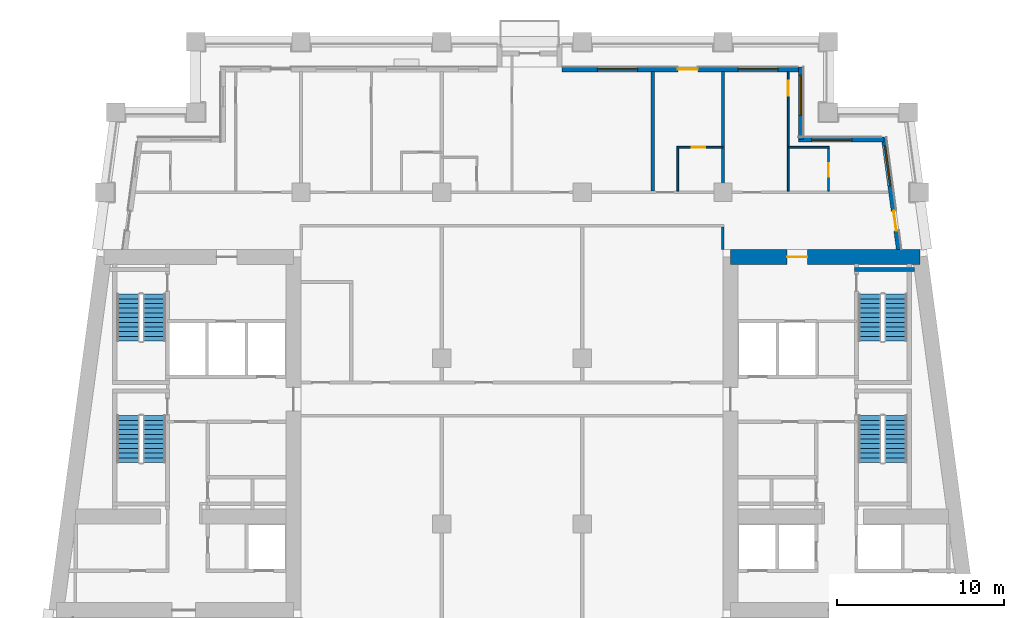
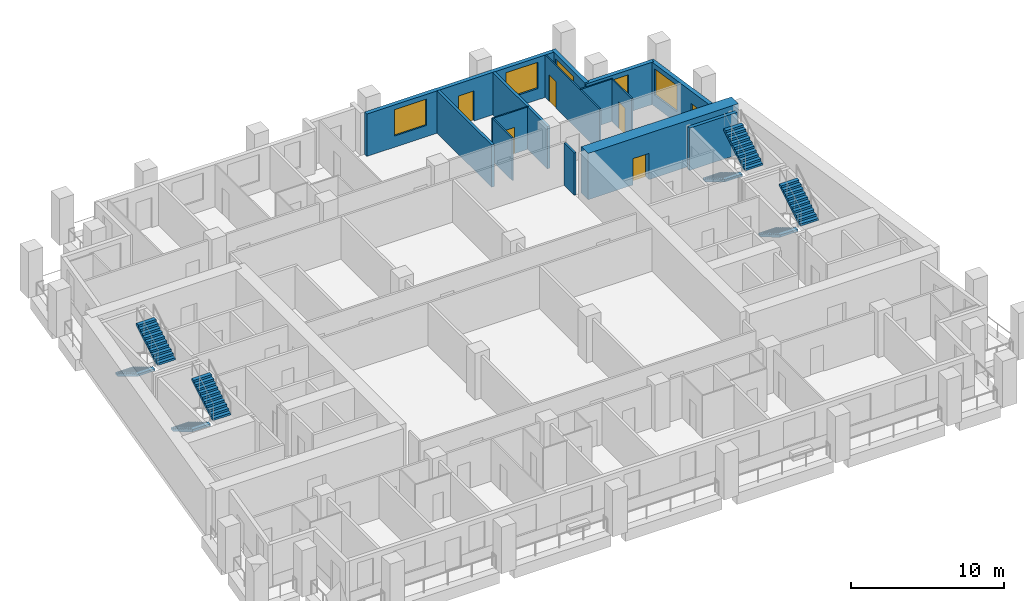
# One storey, part 7 of 12: 14 walls, 8 stair flights, 6 doors, 5 windows, 11 openings, 4 elements without a shape of their own.
"""IFC4 building model written with IfcOpenShell, lengths in metres."""

import ifcopenshell
import ifcopenshell.guid

model = None  # the IFC model being written
_history = None  # IfcOwnerHistory: only IFC2X3 demands one
_inside = {}  # id of a spatial element -> (the spatial element, [elements in it])
_under = {}  # id of a project, library or spatial element -> (it, [spatial elements below it])
_declared = {}  # id of a project -> (the project, [libraries it declares])
_typed = {}  # id of a type object -> (the type object, [elements of that type])
_made_of = {}  # id of a material, layer set ... -> (it, [elements and type objects made of it])


def new_model(schema):
    """Start an empty IFC model of exactly this schema.

    Asked for "IFC4X3", IfcOpenShell would pick the latest addendum, in which some entities
    have other attributes; the version numbers below select the first issue.
    IFC2X3 requires an IfcOwnerHistory on every rooted entity: one is made here for all.
    """
    global model, _history
    if schema == "IFC4X3":
        model = ifcopenshell.file(schema_version=(4, 3, 0, 0))
    else:
        model = ifcopenshell.file(schema=schema)
    _inside.clear()
    _under.clear()
    _declared.clear()
    _typed.clear()
    _made_of.clear()
    _history = None
    if model.schema == "IFC2X3":
        org = make("IfcOrganization", Name="unknown")
        user = make(
            "IfcPersonAndOrganization",
            ThePerson=make("IfcPerson", FamilyName="unknown"),
            TheOrganization=org,
        )
        app = make(
            "IfcApplication",
            ApplicationDeveloper=org,
            Version="unknown",
            ApplicationFullName="unknown",
            ApplicationIdentifier="unknown",
        )
        _history = make(
            "IfcOwnerHistory",
            OwningUser=user,
            OwningApplication=app,
            ChangeAction="ADDED",
            CreationDate=0,
        )
    return model


def make(cls, **values):
    """One entity of the class cls with the attributes given. An attribute that is None is left unset."""
    return model.create_entity(
        cls, **{name: value for name, value in values.items() if value is not None}
    )


def rooted(cls, **values):
    """An entity with a GlobalId (a new one), such as an element, a storey or a relation."""
    return make(cls, GlobalId=ifcopenshell.guid.new(), OwnerHistory=_history, **values)


def si_unit(unit_type, name, prefix=None):
    """IfcSIUnit, for example si_unit("LENGTHUNIT", "METRE", prefix="MILLI")."""
    return make("IfcSIUnit", UnitType=unit_type, Prefix=prefix, Name=name)


def assignment(units):
    """IfcUnitAssignment: the units of a project."""
    return None if units is None else make("IfcUnitAssignment", Units=units)


def point(xyz):
    """IfcCartesianPoint."""
    return None if xyz is None else make("IfcCartesianPoint", Coordinates=xyz)


def direction(xyz):
    """IfcDirection."""
    return None if xyz is None else make("IfcDirection", DirectionRatios=xyz)


def frame(location, z_axis=None, x_axis=None):
    """IfcAxis2Placement3D, a coordinate frame: its origin and axes. An axis left out is left unset."""
    return make(
        "IfcAxis2Placement3D",
        Location=point(location),
        Axis=direction(z_axis),
        RefDirection=direction(x_axis),
    )


def frame_2d(location, x_axis=None):
    """IfcAxis2Placement2D, a coordinate frame in the plane: its origin and x axis."""
    return make(
        "IfcAxis2Placement2D", Location=point(location), RefDirection=direction(x_axis)
    )


def origin():
    """The frame at (0, 0, 0) with its axes left unset."""
    return frame((0.0, 0.0, 0.0))


def place(relative_to, where):
    """IfcLocalPlacement: puts the frame where relative to a parent placement (None: the world)."""
    return make(
        "IfcLocalPlacement", PlacementRelTo=relative_to, RelativePlacement=where
    )


def context(
    kind, dimensions, precision=None, world=None, true_north=None, identifier=None
):
    """IfcGeometricRepresentationContext, for example the 3D "Model" context."""
    return make(
        "IfcGeometricRepresentationContext",
        ContextIdentifier=identifier,
        ContextType=kind,
        CoordinateSpaceDimension=dimensions,
        Precision=precision,
        WorldCoordinateSystem=world,
        TrueNorth=true_north,
    )


def subcontext(parent, identifier, kind, view, scale=None):
    """IfcGeometricRepresentationSubContext, for example "Body" below "Model"."""
    return make(
        "IfcGeometricRepresentationSubContext",
        ContextIdentifier=identifier,
        ContextType=kind,
        ParentContext=parent,
        TargetScale=scale,
        TargetView=view,
    )


def project(units=None, contexts=None):
    """IfcProject with its units and contexts."""
    return rooted(
        "IfcProject",
        Name="project",
        RepresentationContexts=contexts,
        UnitsInContext=assignment(units),
    )


def spatial(cls, under=None, at=None, **own):
    """A site, building, storey or space (cls), placed at a placement, below another one or the project."""
    s = rooted(cls, ObjectPlacement=at, **own)
    if under is not None:
        _under.setdefault(under.id(), (under, []))[1].append(s)
    return s


def polyline(points):
    """IfcPolyline through the points."""
    return make("IfcPolyline", Points=[point(p) for p in points])


def profile(cls, at=None, kind="AREA", **sizes):
    """A parametric profile (cls). Its sizes go by their IFC names, for example OverallWidth=200.0."""
    return make(cls, ProfileType=kind, Position=at, **sizes)


def rectangle(**sizes):
    """IfcRectangleProfileDef."""
    return profile("IfcRectangleProfileDef", **sizes)


def outline(outer, holes=None, kind="AREA"):
    """IfcArbitraryClosedProfileDef: a profile drawn as a closed curve; with holes, ...WithVoids."""
    if holes is None:
        return make("IfcArbitraryClosedProfileDef", ProfileType=kind, OuterCurve=outer)
    return make(
        "IfcArbitraryProfileDefWithVoids",
        ProfileType=kind,
        OuterCurve=outer,
        InnerCurves=holes,
    )


def extrude(swept, where, along, depth):
    """IfcExtrudedAreaSolid: the profile swept, set in the frame where, extruded along a direction by depth."""
    return make(
        "IfcExtrudedAreaSolid",
        SweptArea=swept,
        Position=where,
        ExtrudedDirection=direction(along),
        Depth=depth,
    )


def shape(context_of_items, identifier, shape_type, items):
    """IfcShapeRepresentation: the items that make up one representation, for example the "Body"."""
    return make(
        "IfcShapeRepresentation",
        ContextOfItems=context_of_items,
        RepresentationIdentifier=identifier,
        RepresentationType=shape_type,
        Items=items,
    )


def material(Name=None, Category=None):
    """IfcMaterial."""
    return make("IfcMaterial", Name=Name, Category=Category)


def layer(
    of_material, thickness, ventilated=None, Name=None, Category=None, Priority=None
):
    """IfcMaterialLayer: one layer of a wall or slab, of a material (None: an air gap)."""
    return make(
        "IfcMaterialLayer",
        Material=of_material,
        LayerThickness=thickness,
        IsVentilated=ventilated,
        Name=Name,
        Category=Category,
        Priority=Priority,
    )


def layer_set(layers, Name=None):
    """IfcMaterialLayerSet."""
    return make("IfcMaterialLayerSet", MaterialLayers=layers, LayerSetName=Name)


def made_of(thing, what):
    """Note that an element or type object is made of a material, layer set ...; save() writes the relation."""
    if what is not None:
        _made_of.setdefault(what.id(), (what, []))[1].append(thing)
    return thing


def type_object(cls, material=None, **own):
    """A type object (cls), such as IfcWallType, which elements share."""
    return made_of(rooted(cls, **own), material)


def element(
    cls,
    number,
    at=None,
    inside=None,
    cuts=None,
    type_object=None,
    material=None,
    context=None,
    identifier="Body",
    shape_type=None,
    held_by="IfcProductDefinitionShape",
    body=None,
    shapes=None,
    **own,
):
    """One element of the class cls, such as IfcWall. Its Tag is "e" and its number.

    at: its placement. inside: the storey or other place that contains it. cuts: it is an
    opening in that element (IfcRelVoidsElement). A single representation is given by context,
    identifier, shape_type and body (its items); several are given by shapes. held_by: the class
    of the entity that holds the representations. save() writes the other relations.
    """
    e = rooted(cls, Tag="e%d" % number, ObjectPlacement=at, **own)
    if body is not None:
        shapes = [shape(context, identifier, shape_type, body)]
    if shapes is not None:
        e.Representation = make(held_by, Representations=shapes)
    if inside is not None:
        _inside.setdefault(inside.id(), (inside, []))[1].append(e)
    if cuts is not None:
        rooted(
            "IfcRelVoidsElement", RelatingBuildingElement=cuts, RelatedOpeningElement=e
        )
    if type_object is not None:
        _typed.setdefault(type_object.id(), (type_object, []))[1].append(e)
    return made_of(e, material)


def fill(opening, filler):
    """IfcRelFillsElement: the door or window that sits in an opening."""
    return rooted(
        "IfcRelFillsElement",
        RelatingOpeningElement=opening,
        RelatedBuildingElement=filler,
    )


def aggregate(whole, parts):
    """IfcRelAggregates: a whole, such as a stair, and the parts it consists of."""
    return rooted("IfcRelAggregates", RelatingObject=whole, RelatedObjects=parts)


def save(model, path):
    """Write the relations noted so far, then the file.

    IfcRelAggregates (storeys below a building ...), IfcRelContainedInSpatialStructure (elements
    in a storey), IfcRelDefinesByType, IfcRelAssociatesMaterial and IfcRelDeclares: one each for
    every whole, place, type object, material and project.
    """
    for whole, parts in _under.values():
        aggregate(whole, parts)
    for where, things in _inside.values():
        rooted(
            "IfcRelContainedInSpatialStructure",
            RelatedElements=things,
            RelatingStructure=where,
        )
    for kind, things in _typed.values():
        rooted("IfcRelDefinesByType", RelatedObjects=things, RelatingType=kind)
    for what, things in _made_of.values():
        rooted("IfcRelAssociatesMaterial", RelatedObjects=things, RelatingMaterial=what)
    for by, libraries in _declared.values():
        rooted("IfcRelDeclares", RelatingContext=by, RelatedDefinitions=libraries)
    model.write(path)


model = new_model("IFC4")

# Units and contexts
model_context = context("Model", 3, precision=1e-05, world=origin(), true_north=direction((0.0, 1.0)))
body_context = subcontext(model_context, "Body", "Model", "MODEL_VIEW")
ifc_project = project(units=[si_unit("LENGTHUNIT", "METRE"), si_unit("AREAUNIT", "SQUARE_METRE"), si_unit("VOLUMEUNIT", "CUBIC_METRE"), si_unit("PLANEANGLEUNIT", "RADIAN"), si_unit("MASSUNIT", "GRAM", prefix="KILO")], contexts=[model_context])

# Site, building, storey
site_placement = place(None, origin())
site = spatial("IfcSite", under=ifc_project, at=site_placement, CompositionType="ELEMENT")
building_placement = place(site_placement, origin())
building = spatial("IfcBuilding", under=site, at=building_placement, Name="Candeia Pilgrim Tower and Theatre", CompositionType="ELEMENT")
storey_placement = place(building_placement, frame((0.0, 0.0, 166.300048828125)))
storey = spatial("IfcBuildingStorey", under=building, at=storey_placement, Name="L39", CompositionType="ELEMENT", Elevation=166.300048828125)

# Wall, opening, door
ifc_material_1 = material(Name="Concrete C60/75", Category="concrete")
ifc_layer_1 = layer(ifc_material_1, 0.89990234375)
ifc_layer_set_1 = layer_set([ifc_layer_1], Name="Core wall 900 C60/75")
wall_type_1 = type_object("IfcWallType", Name="Core wall 900 C60/75", PredefinedType="SHEAR", material=ifc_layer_set_1)
wall_1_placement = place(storey_placement, frame((126.449951171875, 131.949951171875, 0.0), z_axis=(0.0, 0.0, 1.0), x_axis=(1.0, 0.0, 0.0)))
wall_1 = element("IfcWall", 1, at=wall_1_placement, inside=storey, type_object=wall_type_1, Name="Core wall E1", PredefinedType="SHEAR", context=body_context, shape_type="SweptSolid", body=[
    extrude(rectangle(XDim=11.32568359375, YDim=0.89990234375, at=frame_2d((5.662841796875, 0.0))), origin(), (0.0, 0.0, 1.0), 3.699951171875),
])
opening_1_placement = place(wall_1_placement, frame((3.386474609375, 0.0, 0.0)))
opening_1 = element("IfcOpeningElement", 2, at=opening_1_placement, cuts=wall_1, Name="Opening L39-D056", PredefinedType="OPENING", context=body_context, shape_type="SweptSolid", body=[
    extrude(rectangle(XDim=1.199951171875, YDim=2.10009765625, at=frame_2d((0.60009765625, 1.050048828125))), frame((0.0, 0.4599609375, 0.0), z_axis=(0.0, -1.0, 0.0), x_axis=(1.0, 0.0, 0.0)), (0.0, 0.0, 1.0), 0.919921875),
])
ifc_material_2 = material(Name="Steel fire door set", Category="steel")
door_type_1 = type_object("IfcDoorType", Name="D-1200-FD60", OperationType="NOTDEFINED", PredefinedType="DOOR", material=ifc_material_2)
door_1_placement = place(opening_1_placement, origin())
door_1 = element("IfcDoor", 3, at=door_1_placement, inside=storey, type_object=door_type_1, Name="Door L39-D056", OperationType="SINGLE_SWING_LEFT", OverallHeight=2.10009765625, OverallWidth=1.199951171875, PredefinedType="DOOR", context=body_context, shape_type="SweptSolid", body=[
    extrude(rectangle(XDim=1.199951171875, YDim=2.10009765625, at=frame_2d((0.60009765625, 1.050048828125))), frame((0.0, 0.02490234375, 0.0), z_axis=(0.0, -1.0, 0.0), x_axis=(1.0, 0.0, 0.0)), (0.0, 0.0, 1.0), 0.050048828125),
])
fill(opening_1, door_1)

# Wall, openings, door, window
ifc_material_3 = material(Name="Ceramic block masonry", Category="masonry")
ifc_layer_2 = layer(ifc_material_3, 0.300048828125)
ifc_layer_set_2 = layer_set([ifc_layer_2], Name="EW1 glazing-line wall 300")
wall_type_2 = type_object("IfcWallType", Name="EW1 glazing-line wall 300", PredefinedType="SOLIDWALL", material=ifc_layer_set_2)
wall_2_placement = place(storey_placement, frame((136.50439453125, 132.39990234375, 0.0), z_axis=(0.0, 0.0, 1.0), x_axis=(-0.133399697462, 0.99106231929, 0.0)))
wall_2 = element("IfcWall", 4, at=wall_2_placement, inside=storey, type_object=wall_type_2, Name="External wall L39-3.1", PredefinedType="SOLIDWALL", context=body_context, shape_type="SweptSolid", body=[
    extrude(rectangle(XDim=6.740478515625, YDim=0.300048828125, at=frame_2d((3.3701171875, 0.0))), origin(), (0.0, 0.0, 1.0), 3.3798828125),
])
opening_2_placement = place(wall_2_placement, frame((1.115234375, 0.0, 0.0)))
opening_2 = element("IfcOpeningElement", 5, at=opening_2_placement, cuts=wall_2, Name="Opening L39-ED375", PredefinedType="OPENING", context=body_context, shape_type="SweptSolid", body=[
    extrude(rectangle(XDim=1.199951171875, YDim=2.39990234375, at=frame_2d((0.60009765625, 1.199951171875))), frame((0.0, 0.16015625, 0.0), z_axis=(0.0, -1.0, 0.0), x_axis=(1.0, 0.0, 0.0)), (0.0, 0.0, 1.0), 0.320068359375),
])
opening_3_placement = place(wall_2_placement, frame((3.83544921875, 0.0, 0.89990234375)))
opening_3 = element("IfcOpeningElement", 6, at=opening_3_placement, cuts=wall_2, Name="Opening W-A", PredefinedType="OPENING", context=body_context, shape_type="SweptSolid", body=[
    extrude(rectangle(XDim=2.39990234375, YDim=2.10009765625, at=frame_2d((1.199951171875, 1.050048828125))), frame((0.0, 0.16015625, 0.0), z_axis=(0.0, -1.0, 0.0), x_axis=(1.0, 0.0, 0.0)), (0.0, 0.0, 1.0), 0.320068359375),
])
ifc_material_4 = material(Name="Aluminium framed glazed door", Category="aluminium")
door_type_2 = type_object("IfcDoorType", Name="Loggia door 1200x2400", OperationType="DOUBLE_DOOR_SINGLE_SWING", PredefinedType="DOOR", material=ifc_material_4)
door_2_placement = place(opening_2_placement, origin())
door_2 = element("IfcDoor", 7, at=door_2_placement, inside=storey, type_object=door_type_2, Name="Loggia door L39-ED375", OperationType="DOUBLE_DOOR_SINGLE_SWING", OverallHeight=2.39990234375, OverallWidth=1.199951171875, PredefinedType="DOOR", context=body_context, shape_type="SweptSolid", body=[
    extrude(rectangle(XDim=1.199951171875, YDim=2.39990234375, at=frame_2d((0.60009765625, 1.199951171875))), frame((0.0, 0.02490234375, 0.0), z_axis=(0.0, -1.0, 0.0), x_axis=(1.0, 0.0, 0.0)), (0.0, 0.0, 1.0), 0.050048828125),
])
fill(opening_2, door_2)
ifc_material_5 = material(Name="Aluminium framed double glazing", Category="aluminium")
window_type = type_object("IfcWindowType", Name="W-A window 2400x2100", PartitioningType="DOUBLE_PANEL_VERTICAL", PredefinedType="WINDOW", material=ifc_material_5)
window_1_placement = place(opening_3_placement, origin())
window_1 = element("IfcWindow", 8, at=window_1_placement, inside=storey, type_object=window_type, Name="Window W-A L39", OverallHeight=2.10009765625, OverallWidth=2.39990234375, PartitioningType="SINGLE_PANEL", PredefinedType="WINDOW", context=body_context, shape_type="SweptSolid", body=[
    extrude(rectangle(XDim=2.39990234375, YDim=2.10009765625, at=frame_2d((1.199951171875, 1.050048828125))), frame((0.0, 0.030029296875, 0.0), z_axis=(0.0, -1.0, 0.0), x_axis=(1.0, 0.0, 0.0)), (0.0, 0.0, 1.0), 0.06005859375),
])
fill(opening_3, window_1)

# Wall, opening, window
wall_3_placement = place(storey_placement, frame((135.62255859375, 138.949951171875, 0.0), z_axis=(0.0, 0.0, 1.0), x_axis=(-1.0, 0.0, 0.0)))
wall_3 = element("IfcWall", 9, at=wall_3_placement, inside=storey, type_object=wall_type_2, Name="External wall L39-4.0", PredefinedType="SOLIDWALL", context=body_context, shape_type="SweptSolid", body=[
    extrude(rectangle(XDim=5.12255859375, YDim=0.300048828125, at=frame_2d((2.561279296875, 0.0))), origin(), (0.0, 0.0, 1.0), 3.3798828125),
])
opening_4_placement = place(wall_3_placement, frame((1.922607421875, 0.0, 0.89990234375)))
opening_4 = element("IfcOpeningElement", 10, at=opening_4_placement, cuts=wall_3, Name="Opening W-A", PredefinedType="OPENING", context=body_context, shape_type="SweptSolid", body=[
    extrude(rectangle(XDim=2.39990234375, YDim=2.10009765625, at=frame_2d((1.199951171875, 1.050048828125))), frame((0.0, 0.16015625, 0.0), z_axis=(0.0, -1.0, 0.0), x_axis=(1.0, 0.0, 0.0)), (0.0, 0.0, 1.0), 0.320068359375),
])
window_2_placement = place(opening_4_placement, origin())
window_2 = element("IfcWindow", 11, at=window_2_placement, inside=storey, type_object=window_type, Name="Window W-A L39", OverallHeight=2.10009765625, OverallWidth=2.39990234375, PartitioningType="SINGLE_PANEL", PredefinedType="WINDOW", context=body_context, shape_type="SweptSolid", body=[
    extrude(rectangle(XDim=2.39990234375, YDim=2.10009765625, at=frame_2d((1.199951171875, 1.050048828125))), frame((0.0, 0.030029296875, 0.0), z_axis=(0.0, -1.0, 0.0), x_axis=(1.0, 0.0, 0.0)), (0.0, 0.0, 1.0), 0.06005859375),
])
fill(opening_4, window_2)

wall_4_placement = place(storey_placement, frame((130.64990234375, 138.949951171875, 0.0), z_axis=(0.0, 0.0, 1.0), x_axis=(0.0, 1.0, 0.0)))
wall_4 = element("IfcWall", 12, at=wall_4_placement, inside=storey, type_object=wall_type_2, Name="External wall L39-5.0", PredefinedType="SOLIDWALL", context=body_context, shape_type="SweptSolid", body=[
    extrude(rectangle(XDim=4.35009765625, YDim=0.300048828125, at=frame_2d((2.175048828125, 0.0))), origin(), (0.0, 0.0, 1.0), 3.3798828125),
])
opening_5_placement = place(wall_4_placement, frame((1.449951171875, 0.0, 0.89990234375)))
opening_5 = element("IfcOpeningElement", 13, at=opening_5_placement, cuts=wall_4, Name="Opening W-A", PredefinedType="OPENING", context=body_context, shape_type="SweptSolid", body=[
    extrude(rectangle(XDim=2.39990234375, YDim=2.10009765625, at=frame_2d((1.199951171875, 1.050048828125))), frame((0.0, 0.16015625, 0.0), z_axis=(0.0, -1.0, 0.0), x_axis=(1.0, 0.0, 0.0)), (0.0, 0.0, 1.0), 0.320068359375),
])
window_3_placement = place(opening_5_placement, origin())
window_3 = element("IfcWindow", 14, at=window_3_placement, inside=storey, type_object=window_type, Name="Window W-A L39", OverallHeight=2.10009765625, OverallWidth=2.39990234375, PartitioningType="SINGLE_PANEL", PredefinedType="WINDOW", context=body_context, shape_type="SweptSolid", body=[
    extrude(rectangle(XDim=2.39990234375, YDim=2.10009765625, at=frame_2d((1.199951171875, 1.050048828125))), frame((0.0, 0.030029296875, 0.0), z_axis=(0.0, -1.0, 0.0), x_axis=(1.0, 0.0, 0.0)), (0.0, 0.0, 1.0), 0.06005859375),
])
fill(opening_5, window_3)

# Wall, openings, door, windows
wall_5_placement = place(storey_placement, frame((130.64990234375, 143.14990234375, 0.0), z_axis=(0.0, 0.0, 1.0), x_axis=(-1.0, 0.0, 0.0)))
wall_5 = element("IfcWall", 15, at=wall_5_placement, inside=storey, type_object=wall_type_2, Name="External wall L39-6.0", PredefinedType="SOLIDWALL", context=body_context, shape_type="SweptSolid", body=[
    extrude(rectangle(XDim=14.25, YDim=0.300048828125, at=frame_2d((7.125, 0.0))), origin(), (0.0, 0.0, 1.0), 3.3798828125),
])
opening_6_placement = place(wall_5_placement, frame((1.35009765625, 0.0, 0.89990234375)))
opening_6 = element("IfcOpeningElement", 16, at=opening_6_placement, cuts=wall_5, Name="Opening W-A", PredefinedType="OPENING", context=body_context, shape_type="SweptSolid", body=[
    extrude(rectangle(XDim=2.39990234375, YDim=2.10009765625, at=frame_2d((1.199951171875, 1.050048828125))), frame((0.0, 0.16015625, 0.0), z_axis=(0.0, -1.0, 0.0), x_axis=(1.0, 0.0, 0.0)), (0.0, 0.0, 1.0), 0.320068359375),
])
opening_7_placement = place(wall_5_placement, frame((6.14990234375, 0.0, 0.0)))
opening_7 = element("IfcOpeningElement", 17, at=opening_7_placement, cuts=wall_5, Name="Opening L39-ED376", PredefinedType="OPENING", context=body_context, shape_type="SweptSolid", body=[
    extrude(rectangle(XDim=1.199951171875, YDim=2.39990234375, at=frame_2d((0.60009765625, 1.199951171875))), frame((0.0, 0.16015625, 0.0), z_axis=(0.0, -1.0, 0.0), x_axis=(1.0, 0.0, 0.0)), (0.0, 0.0, 1.0), 0.320068359375),
])
opening_8_placement = place(wall_5_placement, frame((9.75, 0.0, 0.89990234375)))
opening_8 = element("IfcOpeningElement", 18, at=opening_8_placement, cuts=wall_5, Name="Opening W-A", PredefinedType="OPENING", context=body_context, shape_type="SweptSolid", body=[
    extrude(rectangle(XDim=2.39990234375, YDim=2.10009765625, at=frame_2d((1.199951171875, 1.050048828125))), frame((0.0, 0.16015625, 0.0), z_axis=(0.0, -1.0, 0.0), x_axis=(1.0, 0.0, 0.0)), (0.0, 0.0, 1.0), 0.320068359375),
])
door_3_placement = place(opening_7_placement, origin())
door_3 = element("IfcDoor", 19, at=door_3_placement, inside=storey, type_object=door_type_2, Name="Loggia door L39-ED376", OperationType="DOUBLE_DOOR_SINGLE_SWING", OverallHeight=2.39990234375, OverallWidth=1.199951171875, PredefinedType="DOOR", context=body_context, shape_type="SweptSolid", body=[
    extrude(rectangle(XDim=1.199951171875, YDim=2.39990234375, at=frame_2d((0.60009765625, 1.199951171875))), frame((0.0, 0.02490234375, 0.0), z_axis=(0.0, -1.0, 0.0), x_axis=(1.0, 0.0, 0.0)), (0.0, 0.0, 1.0), 0.050048828125),
])
fill(opening_7, door_3)
window_4_placement = place(opening_6_placement, origin())
window_4 = element("IfcWindow", 20, at=window_4_placement, inside=storey, type_object=window_type, Name="Window W-A L39", OverallHeight=2.10009765625, OverallWidth=2.39990234375, PartitioningType="SINGLE_PANEL", PredefinedType="WINDOW", context=body_context, shape_type="SweptSolid", body=[
    extrude(rectangle(XDim=2.39990234375, YDim=2.10009765625, at=frame_2d((1.199951171875, 1.050048828125))), frame((0.0, 0.030029296875, 0.0), z_axis=(0.0, -1.0, 0.0), x_axis=(1.0, 0.0, 0.0)), (0.0, 0.0, 1.0), 0.06005859375),
])
fill(opening_6, window_4)
window_5_placement = place(opening_8_placement, origin())
window_5 = element("IfcWindow", 21, at=window_5_placement, inside=storey, type_object=window_type, Name="Window W-A L39", OverallHeight=2.10009765625, OverallWidth=2.39990234375, PartitioningType="SINGLE_PANEL", PredefinedType="WINDOW", context=body_context, shape_type="SweptSolid", body=[
    extrude(rectangle(XDim=2.39990234375, YDim=2.10009765625, at=frame_2d((1.199951171875, 1.050048828125))), frame((0.0, 0.030029296875, 0.0), z_axis=(0.0, -1.0, 0.0), x_axis=(1.0, 0.0, 0.0)), (0.0, 0.0, 1.0), 0.06005859375),
])
fill(opening_8, window_5)

# Wall, opening, door
ifc_material_6 = material(Name="Gypsum board partition on steel studs", Category="steel")
ifc_layer_3 = layer(ifc_material_6, 0.10009765625)
ifc_layer_set_3 = layer_set([ifc_layer_3], Name="PW-100 room partition")
wall_type_3 = type_object("IfcWallType", Name="PW-100 room partition", PredefinedType="PARTITIONING", material=ifc_layer_set_3)
wall_6_placement = place(storey_placement, frame((123.25, 138.5, 0.0), z_axis=(0.0, 0.0, 1.0), x_axis=(1.0, 0.0, 0.0)))
wall_6 = element("IfcWall", 22, at=wall_6_placement, inside=storey, type_object=wall_type_3, Name="Room partition L39-046", PredefinedType="PARTITIONING", context=body_context, shape_type="SweptSolid", body=[
    extrude(rectangle(XDim=2.75, YDim=0.10009765625, at=frame_2d((1.375, 0.0))), origin(), (0.0, 0.0, 1.0), 3.3798828125),
])
opening_9_placement = place(wall_6_placement, frame((0.8798828125, 0.0, 0.0)))
opening_9 = element("IfcOpeningElement", 23, at=opening_9_placement, cuts=wall_6, Name="Opening L39-D041", PredefinedType="OPENING", context=body_context, shape_type="SweptSolid", body=[
    extrude(rectangle(XDim=0.800048828125, YDim=2.10009765625, at=frame_2d((0.39990234375, 1.050048828125))), frame((0.0, 0.06005859375, 0.0), z_axis=(0.0, -1.0, 0.0), x_axis=(1.0, 0.0, 0.0)), (0.0, 0.0, 1.0), 0.1201171875),
])
ifc_material_7 = material(Name="Timber door leaf", Category="wood")
door_type_3 = type_object("IfcDoorType", Name="D-800", OperationType="NOTDEFINED", PredefinedType="DOOR", material=ifc_material_7)
door_4_placement = place(opening_9_placement, origin())
door_4 = element("IfcDoor", 24, at=door_4_placement, inside=storey, type_object=door_type_3, Name="Door L39-D041", OperationType="SINGLE_SWING_RIGHT", OverallHeight=2.10009765625, OverallWidth=0.800048828125, PredefinedType="DOOR", context=body_context, shape_type="SweptSolid", body=[
    extrude(rectangle(XDim=0.800048828125, YDim=2.10009765625, at=frame_2d((0.39990234375, 1.050048828125))), frame((0.0, 0.02490234375, 0.0), z_axis=(0.0, -1.0, 0.0), x_axis=(1.0, 0.0, 0.0)), (0.0, 0.0, 1.0), 0.050048828125),
])
fill(opening_9, door_4)

# Walls
wall_7_placement = place(storey_placement, frame((129.89990234375, 138.5, 0.0), z_axis=(0.0, 0.0, 1.0), x_axis=(1.0, 0.0, 0.0)))
element("IfcWall", 25, at=wall_7_placement, inside=storey, type_object=wall_type_3, Name="Room partition L39-047", PredefinedType="PARTITIONING", context=body_context, shape_type="SweptSolid", body=[
    extrude(rectangle(XDim=2.4501953125, YDim=0.10009765625, at=frame_2d((1.22509765625, 0.0))), origin(), (0.0, 0.0, 1.0), 3.3798828125),
])
wall_8_placement = place(storey_placement, frame((123.300048828125, 135.875, 0.0), z_axis=(0.0, 0.0, 1.0), x_axis=(0.0, 1.0, 0.0)))
element("IfcWall", 26, at=wall_8_placement, inside=storey, type_object=wall_type_3, Name="Room partition L39-092", PredefinedType="PARTITIONING", context=body_context, shape_type="SweptSolid", body=[
    extrude(rectangle(XDim=2.574951171875, YDim=0.10009765625, at=frame_2d((1.28759765625, 0.0))), origin(), (0.0, 0.0, 1.0), 3.3798828125),
])

# Wall, opening, door
wall_9_placement = place(storey_placement, frame((129.89990234375, 135.875, 0.0), z_axis=(0.0, 0.0, 1.0), x_axis=(0.0, 1.0, 0.0)))
wall_9 = element("IfcWall", 27, at=wall_9_placement, inside=storey, type_object=wall_type_3, Name="Room partition L39-101", PredefinedType="PARTITIONING", context=body_context, shape_type="SweptSolid", body=[
    extrude(rectangle(XDim=7.135009765625, YDim=0.10009765625, at=frame_2d((3.5673828125, 0.0))), origin(), (0.0, 0.0, 1.0), 3.3798828125),
])
opening_10_placement = place(wall_9_placement, frame((5.695068359375, 0.0, 0.0)))
opening_10 = element("IfcOpeningElement", 28, at=opening_10_placement, cuts=wall_9, Name="Opening L39-D043", PredefinedType="OPENING", context=body_context, shape_type="SweptSolid", body=[
    extrude(rectangle(XDim=0.89990234375, YDim=2.10009765625, at=frame_2d((0.449951171875, 1.050048828125))), frame((0.0, 0.06005859375, 0.0), z_axis=(0.0, -1.0, 0.0), x_axis=(1.0, 0.0, 0.0)), (0.0, 0.0, 1.0), 0.1201171875),
])
door_type_4 = type_object("IfcDoorType", Name="D-900", OperationType="NOTDEFINED", PredefinedType="DOOR", material=ifc_material_7)
door_5_placement = place(opening_10_placement, origin())
door_5 = element("IfcDoor", 29, at=door_5_placement, inside=storey, type_object=door_type_4, Name="Door L39-D043", OperationType="SINGLE_SWING_RIGHT", OverallHeight=2.10009765625, OverallWidth=0.89990234375, PredefinedType="DOOR", context=body_context, shape_type="SweptSolid", body=[
    extrude(rectangle(XDim=0.89990234375, YDim=2.10009765625, at=frame_2d((0.449951171875, 1.050048828125))), frame((0.0, 0.02490234375, 0.0), z_axis=(0.0, -1.0, 0.0), x_axis=(1.0, 0.0, 0.0)), (0.0, 0.0, 1.0), 0.050048828125),
])
fill(opening_10, door_5)

wall_10_placement = place(storey_placement, frame((132.300048828125, 135.875, 0.0), z_axis=(0.0, 0.0, 1.0), x_axis=(0.0, 1.0, 0.0)))
wall_10 = element("IfcWall", 30, at=wall_10_placement, inside=storey, type_object=wall_type_3, Name="Room partition L39-106", PredefinedType="PARTITIONING", context=body_context, shape_type="SweptSolid", body=[
    extrude(rectangle(XDim=2.574951171875, YDim=0.10009765625, at=frame_2d((1.28759765625, 0.0))), origin(), (0.0, 0.0, 1.0), 3.3798828125),
])
opening_11_placement = place(wall_10_placement, frame((0.875, 0.0, 0.0)))
opening_11 = element("IfcOpeningElement", 31, at=opening_11_placement, cuts=wall_10, Name="Opening L39-D044", PredefinedType="OPENING", context=body_context, shape_type="SweptSolid", body=[
    extrude(rectangle(XDim=0.800048828125, YDim=2.10009765625, at=frame_2d((0.39990234375, 1.050048828125))), frame((0.0, 0.06005859375, 0.0), z_axis=(0.0, -1.0, 0.0), x_axis=(1.0, 0.0, 0.0)), (0.0, 0.0, 1.0), 0.1201171875),
])
door_6_placement = place(opening_11_placement, origin())
door_6 = element("IfcDoor", 32, at=door_6_placement, inside=storey, type_object=door_type_3, Name="Door L39-D044", OperationType="SINGLE_SWING_LEFT", OverallHeight=2.10009765625, OverallWidth=0.800048828125, PredefinedType="DOOR", context=body_context, shape_type="SweptSolid", body=[
    extrude(rectangle(XDim=0.800048828125, YDim=2.10009765625, at=frame_2d((0.39990234375, 1.050048828125))), frame((0.0, 0.02490234375, 0.0), z_axis=(0.0, -1.0, 0.0), x_axis=(1.0, 0.0, 0.0)), (0.0, 0.0, 1.0), 0.050048828125),
])
fill(opening_11, door_6)

# Walls
ifc_layer_4 = layer(ifc_material_6, 0.14990234375)
ifc_layer_set_4 = layer_set([ifc_layer_4], Name="PW-150 unit wall")
wall_type_4 = type_object("IfcWallType", Name="PW-150 unit wall", PredefinedType="PARTITIONING", material=ifc_layer_set_4)
wall_11_placement = place(storey_placement, frame((126.0, 132.39990234375, 0.0), z_axis=(0.0, 0.0, 1.0), x_axis=(0.0, 1.0, 0.0)))
element("IfcWall", 33, at=wall_11_placement, inside=storey, type_object=wall_type_4, Name="Unit wall L39-097", PredefinedType="PARTITIONING", context=body_context, shape_type="SweptSolid", body=[
    extrude(rectangle(XDim=1.3251953125, YDim=0.14990234375, at=frame_2d((0.66259765625, 0.0))), origin(), (0.0, 0.0, 1.0), 3.3798828125),
])
ifc_layer_5 = layer(ifc_material_6, 0.199951171875)
ifc_layer_set_5 = layer_set([ifc_layer_5], Name="PW-200 party wall")
wall_type_5 = type_object("IfcWallType", Name="PW-200 party wall", PredefinedType="PARTITIONING", material=ifc_layer_set_5)
for number, where, z_axis, x_axis, name in (
    (34, (121.800048828125, 135.875, 0.0), (0.0, 0.0, 1.0), (0.0, 1.0, 0.0), "Party wall L39-091"),
    (35, (126.0, 135.875, 0.0), (0.0, 0.0, 1.0), (0.0, 1.0, 0.0), "Party wall L39-095"),
):
    element("IfcWall", number, at=place(storey_placement, frame(where, z_axis=z_axis, x_axis=x_axis)), inside=storey, type_object=wall_type_5, Name=name, PredefinedType="PARTITIONING", context=body_context, shape_type="SweptSolid", body=[
        extrude(rectangle(XDim=7.135009765625, YDim=0.199951171875, at=frame_2d((3.5673828125, 0.0))), origin(), (0.0, 0.0, 1.0), 3.3798828125),
    ])
ifc_material_8 = material(Name="Concrete C40/50", Category="concrete")
ifc_layer_6 = layer(ifc_material_8, 0.25)
ifc_layer_set_6 = layer_set([ifc_layer_6], Name="SW-250 stair wall")
wall_type_6 = type_object("IfcWallType", Name="SW-250 stair wall", PredefinedType="PARTITIONING", material=ifc_layer_set_6)
wall_12_placement = place(storey_placement, frame((133.847900390625, 131.199951171875, 0.0), z_axis=(0.0, 0.0, 1.0), x_axis=(1.0, 0.0, 0.0)))
element("IfcWall", 36, at=wall_12_placement, inside=storey, type_object=wall_type_6, Name="Stair wall L39-040", PredefinedType="PARTITIONING", context=body_context, shape_type="SweptSolid", body=[
    extrude(rectangle(XDim=3.604736328125, YDim=0.25, at=frame_2d((1.80224609375, 0.0))), origin(), (0.0, 0.0, 1.0), 3.3798828125),
])

# Stair, stair flights
stair_type = type_object("IfcStairType", Name="ST-TWR dog-leg escape stair", PredefinedType="HALF_TURN_STAIR", material=ifc_material_8)
stair_1_placement = place(storey_placement, origin())
stair_1 = element("IfcStair", 37, at=stair_1_placement, inside=storey, type_object=stair_type, Name="L39 Escape stair ST1", PredefinedType="HALF_TURN_STAIR")
stair_flight_type = type_object("IfcStairFlightType", Name="SFL-RC stair flight", PredefinedType="STRAIGHT", material=ifc_material_8)
stair_flight_1_placement = place(storey_placement, frame((90.47705078125, 122.47509765625, 0.0), z_axis=(0.0, 0.0, 1.0), x_axis=(0.0, -1.0, 0.0)))
stair_flight_1 = element("IfcStairFlight", 38, at=stair_flight_1_placement, type_object=stair_flight_type, Name="ST1 flight 1", NumberOfRisers=11, NumberOfTreads=10, PredefinedType="STRAIGHT", RiserHeight=0.168181818, TreadLength=0.28, context=body_context, shape_type="SweptSolid", body=[
    extrude(outline(polyline([(0.0, 0.0), (0.0, 0.168212890625), (0.280029296875, 0.168212890625), (0.280029296875, 0.33642578125), (0.56005859375, 0.33642578125), (0.56005859375, 0.504638671875), (0.840087890625, 0.504638671875), (0.840087890625, 0.672607421875), (1.1201171875, 0.672607421875), (1.1201171875, 0.8408203125), (1.39990234375, 0.8408203125), (1.39990234375, 1.009033203125), (1.679931640625, 1.009033203125), (1.679931640625, 1.17724609375), (1.9599609375, 1.17724609375), (1.9599609375, 1.345458984375), (2.239990234375, 1.345458984375), (2.239990234375, 1.513671875), (2.52001953125, 1.513671875), (2.52001953125, 1.681884765625), (2.800048828125, 1.681884765625), (2.800048828125, 1.85009765625), (2.800048828125, 1.5068359375), (0.291015625, 0.0), (0.0, 0.0)])), frame((0.0, 0.675048828125, 0.0), z_axis=(0.0, -1.0, 0.0), x_axis=(1.0, 0.0, 0.0)), (0.0, 0.0, 1.0), 1.35009765625),
])
stair_flight_2_placement = place(storey_placement, frame((92.027099609375, 119.675048828125, 1.849853515625), z_axis=(0.0, 0.0, 1.0), x_axis=(0.0, 1.0, 0.0)))
stair_flight_2 = element("IfcStairFlight", 39, at=stair_flight_2_placement, type_object=stair_flight_type, Name="ST1 flight 2", NumberOfRisers=11, NumberOfTreads=10, PredefinedType="STRAIGHT", RiserHeight=0.168181818, TreadLength=0.28, context=body_context, shape_type="SweptSolid", body=[
    extrude(outline(polyline([(0.0, 0.0), (0.0, 0.168212890625), (0.280029296875, 0.168212890625), (0.280029296875, 0.33642578125), (0.56005859375, 0.33642578125), (0.56005859375, 0.504638671875), (0.840087890625, 0.504638671875), (0.840087890625, 0.672607421875), (1.1201171875, 0.672607421875), (1.1201171875, 0.8408203125), (1.39990234375, 0.8408203125), (1.39990234375, 1.009033203125), (1.679931640625, 1.009033203125), (1.679931640625, 1.17724609375), (1.9599609375, 1.17724609375), (1.9599609375, 1.345458984375), (2.239990234375, 1.345458984375), (2.239990234375, 1.513671875), (2.52001953125, 1.513671875), (2.52001953125, 1.681884765625), (2.800048828125, 1.681884765625), (2.800048828125, 1.85009765625), (2.800048828125, 1.5068359375), (0.291015625, 0.0), (0.0, 0.0)])), frame((0.0, 0.675048828125, 0.0), z_axis=(0.0, -1.0, 0.0), x_axis=(1.0, 0.0, 0.0)), (0.0, 0.0, 1.0), 1.35009765625),
])
aggregate(stair_1, [stair_flight_1, stair_flight_2])

stair_2_placement = place(storey_placement, origin())
stair_2 = element("IfcStair", 40, at=stair_2_placement, inside=storey, type_object=stair_type, Name="L39 Escape stair ST2", PredefinedType="HALF_TURN_STAIR")
stair_flight_3_placement = place(storey_placement, frame((90.47705078125, 129.72509765625, 0.0), z_axis=(0.0, 0.0, 1.0), x_axis=(0.0, -1.0, 0.0)))
stair_flight_3 = element("IfcStairFlight", 41, at=stair_flight_3_placement, type_object=stair_flight_type, Name="ST2 flight 1", NumberOfRisers=11, NumberOfTreads=10, PredefinedType="STRAIGHT", RiserHeight=0.168181818, TreadLength=0.28, context=body_context, shape_type="SweptSolid", body=[
    extrude(outline(polyline([(0.0, 0.0), (0.0, 0.168212890625), (0.280029296875, 0.168212890625), (0.280029296875, 0.33642578125), (0.56005859375, 0.33642578125), (0.56005859375, 0.504638671875), (0.840087890625, 0.504638671875), (0.840087890625, 0.672607421875), (1.1201171875, 0.672607421875), (1.1201171875, 0.8408203125), (1.39990234375, 0.8408203125), (1.39990234375, 1.009033203125), (1.679931640625, 1.009033203125), (1.679931640625, 1.17724609375), (1.9599609375, 1.17724609375), (1.9599609375, 1.345458984375), (2.239990234375, 1.345458984375), (2.239990234375, 1.513671875), (2.52001953125, 1.513671875), (2.52001953125, 1.681884765625), (2.800048828125, 1.681884765625), (2.800048828125, 1.85009765625), (2.800048828125, 1.5068359375), (0.291015625, 0.0), (0.0, 0.0)])), frame((0.0, 0.675048828125, 0.0), z_axis=(0.0, -1.0, 0.0), x_axis=(1.0, 0.0, 0.0)), (0.0, 0.0, 1.0), 1.35009765625),
])
stair_flight_4_placement = place(storey_placement, frame((92.027099609375, 126.925048828125, 1.849853515625), z_axis=(0.0, 0.0, 1.0), x_axis=(0.0, 1.0, 0.0)))
stair_flight_4 = element("IfcStairFlight", 42, at=stair_flight_4_placement, type_object=stair_flight_type, Name="ST2 flight 2", NumberOfRisers=11, NumberOfTreads=10, PredefinedType="STRAIGHT", RiserHeight=0.168181818, TreadLength=0.28, context=body_context, shape_type="SweptSolid", body=[
    extrude(outline(polyline([(0.0, 0.0), (0.0, 0.168212890625), (0.280029296875, 0.168212890625), (0.280029296875, 0.33642578125), (0.56005859375, 0.33642578125), (0.56005859375, 0.504638671875), (0.840087890625, 0.504638671875), (0.840087890625, 0.672607421875), (1.1201171875, 0.672607421875), (1.1201171875, 0.8408203125), (1.39990234375, 0.8408203125), (1.39990234375, 1.009033203125), (1.679931640625, 1.009033203125), (1.679931640625, 1.17724609375), (1.9599609375, 1.17724609375), (1.9599609375, 1.345458984375), (2.239990234375, 1.345458984375), (2.239990234375, 1.513671875), (2.52001953125, 1.513671875), (2.52001953125, 1.681884765625), (2.800048828125, 1.681884765625), (2.800048828125, 1.85009765625), (2.800048828125, 1.5068359375), (0.291015625, 0.0), (0.0, 0.0)])), frame((0.0, 0.675048828125, 0.0), z_axis=(0.0, -1.0, 0.0), x_axis=(1.0, 0.0, 0.0)), (0.0, 0.0, 1.0), 1.35009765625),
])
aggregate(stair_2, [stair_flight_3, stair_flight_4])

stair_3_placement = place(storey_placement, origin())
stair_3 = element("IfcStair", 43, at=stair_3_placement, inside=storey, type_object=stair_type, Name="L39 Escape stair ST3", PredefinedType="HALF_TURN_STAIR")
stair_flight_5_placement = place(storey_placement, frame((134.77294921875, 122.47509765625, 0.0), z_axis=(0.0, 0.0, 1.0), x_axis=(0.0, -1.0, 0.0)))
stair_flight_5 = element("IfcStairFlight", 44, at=stair_flight_5_placement, type_object=stair_flight_type, Name="ST3 flight 1", NumberOfRisers=11, NumberOfTreads=10, PredefinedType="STRAIGHT", RiserHeight=0.168181818, TreadLength=0.28, context=body_context, shape_type="SweptSolid", body=[
    extrude(outline(polyline([(0.0, 0.0), (0.0, 0.168212890625), (0.280029296875, 0.168212890625), (0.280029296875, 0.33642578125), (0.56005859375, 0.33642578125), (0.56005859375, 0.504638671875), (0.840087890625, 0.504638671875), (0.840087890625, 0.672607421875), (1.1201171875, 0.672607421875), (1.1201171875, 0.8408203125), (1.39990234375, 0.8408203125), (1.39990234375, 1.009033203125), (1.679931640625, 1.009033203125), (1.679931640625, 1.17724609375), (1.9599609375, 1.17724609375), (1.9599609375, 1.345458984375), (2.239990234375, 1.345458984375), (2.239990234375, 1.513671875), (2.52001953125, 1.513671875), (2.52001953125, 1.681884765625), (2.800048828125, 1.681884765625), (2.800048828125, 1.85009765625), (2.800048828125, 1.5068359375), (0.291015625, 0.0), (0.0, 0.0)])), frame((0.0, 0.675048828125, 0.0), z_axis=(0.0, -1.0, 0.0), x_axis=(1.0, 0.0, 0.0)), (0.0, 0.0, 1.0), 1.35009765625),
])
stair_flight_6_placement = place(storey_placement, frame((136.322998046875, 119.675048828125, 1.849853515625), z_axis=(0.0, 0.0, 1.0), x_axis=(0.0, 1.0, 0.0)))
stair_flight_6 = element("IfcStairFlight", 45, at=stair_flight_6_placement, type_object=stair_flight_type, Name="ST3 flight 2", NumberOfRisers=11, NumberOfTreads=10, PredefinedType="STRAIGHT", RiserHeight=0.168181818, TreadLength=0.28, context=body_context, shape_type="SweptSolid", body=[
    extrude(outline(polyline([(0.0, 0.0), (0.0, 0.168212890625), (0.280029296875, 0.168212890625), (0.280029296875, 0.33642578125), (0.56005859375, 0.33642578125), (0.56005859375, 0.504638671875), (0.840087890625, 0.504638671875), (0.840087890625, 0.672607421875), (1.1201171875, 0.672607421875), (1.1201171875, 0.8408203125), (1.39990234375, 0.8408203125), (1.39990234375, 1.009033203125), (1.679931640625, 1.009033203125), (1.679931640625, 1.17724609375), (1.9599609375, 1.17724609375), (1.9599609375, 1.345458984375), (2.239990234375, 1.345458984375), (2.239990234375, 1.513671875), (2.52001953125, 1.513671875), (2.52001953125, 1.681884765625), (2.800048828125, 1.681884765625), (2.800048828125, 1.85009765625), (2.800048828125, 1.5068359375), (0.291015625, 0.0), (0.0, 0.0)])), frame((0.0, 0.675048828125, 0.0), z_axis=(0.0, -1.0, 0.0), x_axis=(1.0, 0.0, 0.0)), (0.0, 0.0, 1.0), 1.35009765625),
])
aggregate(stair_3, [stair_flight_5, stair_flight_6])

stair_4_placement = place(storey_placement, origin())
stair_4 = element("IfcStair", 46, at=stair_4_placement, inside=storey, type_object=stair_type, Name="L39 Escape stair ST4", PredefinedType="HALF_TURN_STAIR")
stair_flight_7_placement = place(storey_placement, frame((134.77294921875, 129.72509765625, 0.0), z_axis=(0.0, 0.0, 1.0), x_axis=(0.0, -1.0, 0.0)))
stair_flight_7 = element("IfcStairFlight", 47, at=stair_flight_7_placement, type_object=stair_flight_type, Name="ST4 flight 1", NumberOfRisers=11, NumberOfTreads=10, PredefinedType="STRAIGHT", RiserHeight=0.168181818, TreadLength=0.28, context=body_context, shape_type="SweptSolid", body=[
    extrude(outline(polyline([(0.0, 0.0), (0.0, 0.168212890625), (0.280029296875, 0.168212890625), (0.280029296875, 0.33642578125), (0.56005859375, 0.33642578125), (0.56005859375, 0.504638671875), (0.840087890625, 0.504638671875), (0.840087890625, 0.672607421875), (1.1201171875, 0.672607421875), (1.1201171875, 0.8408203125), (1.39990234375, 0.8408203125), (1.39990234375, 1.009033203125), (1.679931640625, 1.009033203125), (1.679931640625, 1.17724609375), (1.9599609375, 1.17724609375), (1.9599609375, 1.345458984375), (2.239990234375, 1.345458984375), (2.239990234375, 1.513671875), (2.52001953125, 1.513671875), (2.52001953125, 1.681884765625), (2.800048828125, 1.681884765625), (2.800048828125, 1.85009765625), (2.800048828125, 1.5068359375), (0.291015625, 0.0), (0.0, 0.0)])), frame((0.0, 0.675048828125, 0.0), z_axis=(0.0, -1.0, 0.0), x_axis=(1.0, 0.0, 0.0)), (0.0, 0.0, 1.0), 1.35009765625),
])
stair_flight_8_placement = place(storey_placement, frame((136.322998046875, 126.925048828125, 1.849853515625), z_axis=(0.0, 0.0, 1.0), x_axis=(0.0, 1.0, 0.0)))
stair_flight_8 = element("IfcStairFlight", 48, at=stair_flight_8_placement, type_object=stair_flight_type, Name="ST4 flight 2", NumberOfRisers=11, NumberOfTreads=10, PredefinedType="STRAIGHT", RiserHeight=0.168181818, TreadLength=0.28, context=body_context, shape_type="SweptSolid", body=[
    extrude(outline(polyline([(0.0, 0.0), (0.0, 0.168212890625), (0.280029296875, 0.168212890625), (0.280029296875, 0.33642578125), (0.56005859375, 0.33642578125), (0.56005859375, 0.504638671875), (0.840087890625, 0.504638671875), (0.840087890625, 0.672607421875), (1.1201171875, 0.672607421875), (1.1201171875, 0.8408203125), (1.39990234375, 0.8408203125), (1.39990234375, 1.009033203125), (1.679931640625, 1.009033203125), (1.679931640625, 1.17724609375), (1.9599609375, 1.17724609375), (1.9599609375, 1.345458984375), (2.239990234375, 1.345458984375), (2.239990234375, 1.513671875), (2.52001953125, 1.513671875), (2.52001953125, 1.681884765625), (2.800048828125, 1.681884765625), (2.800048828125, 1.85009765625), (2.800048828125, 1.5068359375), (0.291015625, 0.0), (0.0, 0.0)])), frame((0.0, 0.675048828125, 0.0), z_axis=(0.0, -1.0, 0.0), x_axis=(1.0, 0.0, 0.0)), (0.0, 0.0, 1.0), 1.35009765625),
])
aggregate(stair_4, [stair_flight_7, stair_flight_8])

save(model, "model.ifc")
